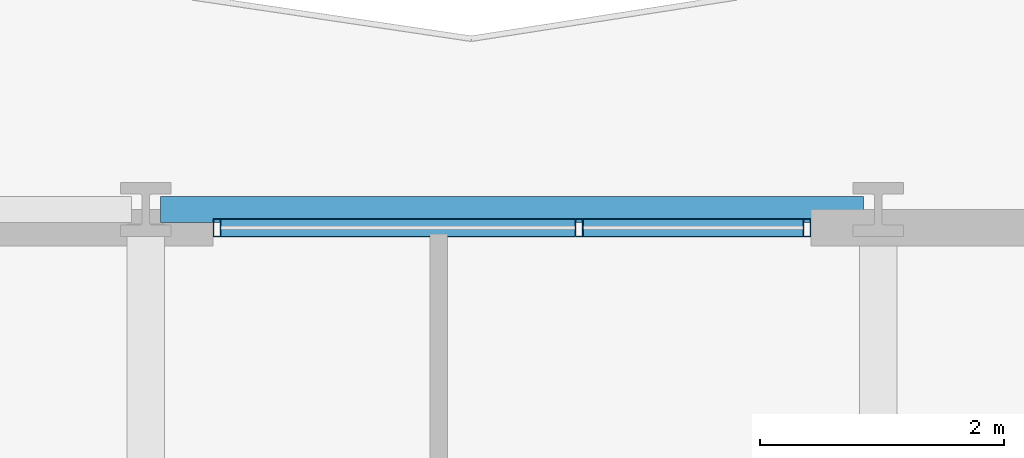
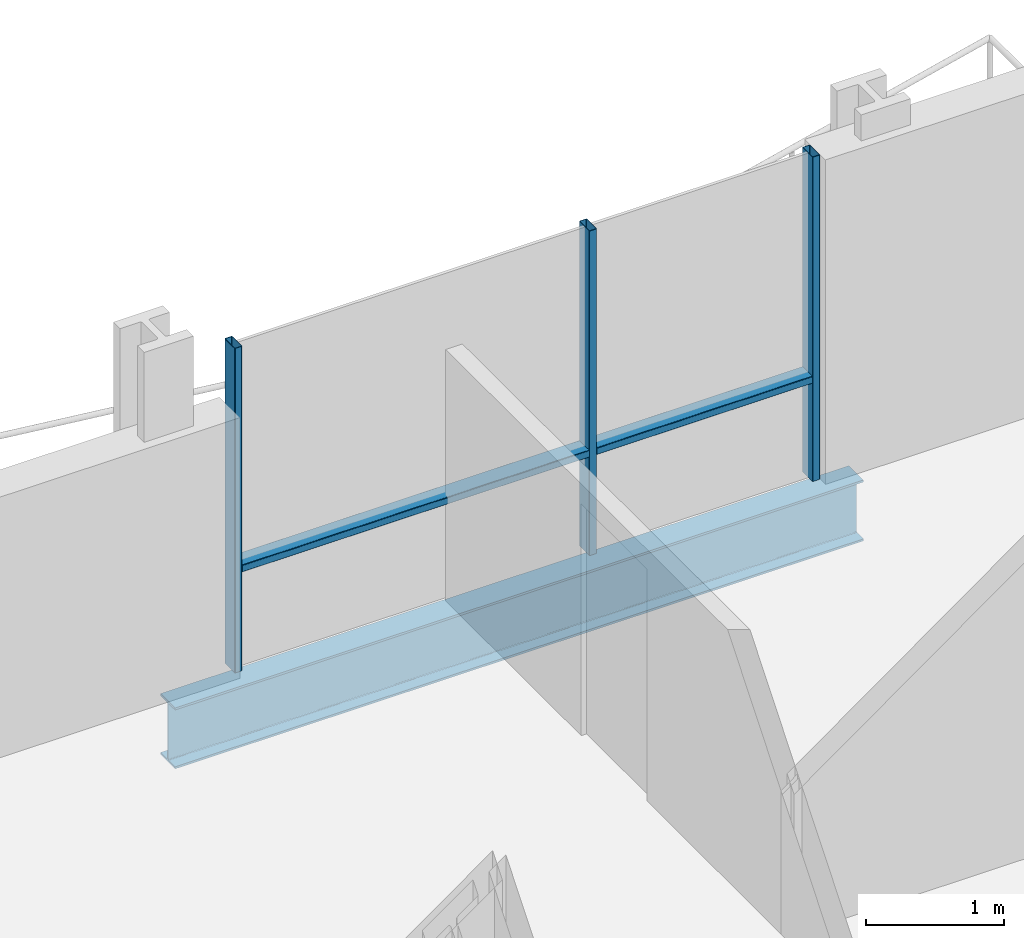
# One storey, part 24 of 41: 5 members, 1 beam, 1 element without a shape of its own.
"""IFC4 building model written with IfcOpenShell, lengths in metres."""

from ifc_helpers import new_model, si_unit, direction, frame, origin, origin_2d, place, context, subcontext, project, spatial, hollow_rectangle, i_section, extrude, material, layer, layer_set, material_profile, profile_set, type_object, element, aggregate, save


model = new_model("IFC4")

# Units and contexts
model_context = context("Model", 3, precision=1e-05, world=origin(), true_north=direction((0.0, 1.0)))
body_context = subcontext(model_context, "Body", "Model", "MODEL_VIEW")
ifc_project = project(units=[si_unit("LENGTHUNIT", "METRE"), si_unit("AREAUNIT", "SQUARE_METRE"), si_unit("VOLUMEUNIT", "CUBIC_METRE"), si_unit("PLANEANGLEUNIT", "RADIAN"), si_unit("MASSUNIT", "GRAM", prefix="KILO")], contexts=[model_context])

# Site, building, storey
site_placement = place(None, origin())
site = spatial("IfcSite", under=ifc_project, at=site_placement, CompositionType="ELEMENT")
building_placement = place(site_placement, origin())
building = spatial("IfcBuilding", under=site, at=building_placement, Name="Brevholm Reach", CompositionType="ELEMENT")
storey_placement = place(building_placement, frame((0.0, 0.0, 43.5)))
storey = spatial("IfcBuildingStorey", under=building, at=storey_placement, Name="L11", CompositionType="ELEMENT", Elevation=43.5)

# Beam
ifc_material_1 = material(Name="Structural Steel S355J2", Category="steel")
ifc_material_profile_1 = material_profile(ifc_material_1, i_section(OverallWidth=0.210693359375, OverallDepth=0.53955078125, WebThickness=0.01171875, FlangeThickness=0.018798828125, FilletRadius=0.0126953125, at=origin_2d()), Name="UKB 533x210x109")
ifc_profile_set_1 = profile_set([ifc_material_profile_1], Name="Structural Steel S355J2")
beam_type = type_object("IfcBeamType", Name="BM-SP539", PredefinedType="SPANDREL", material=ifc_profile_set_1)
beam_placement = place(storey_placement, frame((48.1201171875, 31.0, -0.499755859375), z_axis=(1.0, 0.0, 0.0), x_axis=(0.0, 1.0, 0.0)))
element("IfcBeam", 1, at=beam_placement, inside=storey, type_object=beam_type, Name="L11 SP-01B Framing Beam", PredefinedType="SPANDREL", context=body_context, shape_type="SweptSolid", body=[
    extrude(i_section(OverallWidth=0.210693359375, OverallDepth=0.53955078125, WebThickness=0.01171875, FlangeThickness=0.018798828125, FilletRadius=0.0126953125, at=origin_2d()), origin(), (0.0, 0.0, 1.0), 5.759765625),
])

# Curtain wall, members
ifc_material_2 = material(Name="Dark Anodised Aluminium 6063-T6 and Solar-Control Glass", Category="aluminium")
ifc_layer = layer(ifc_material_2, 0.14990234375)
ifc_layer_set = layer_set([ifc_layer], Name="Dark Anodised Aluminium 6063-T6 and Solar-Control Glass")
curtain_wall_type = type_object("IfcCurtainWallType", Name="CW-01", PredefinedType="NOTDEFINED", material=ifc_layer_set)
curtain_wall_placement = place(storey_placement, origin())
curtain_wall = element("IfcCurtainWall", 2, at=curtain_wall_placement, inside=storey, type_object=curtain_wall_type, Name="L11 Curtain Wall CW-01", PredefinedType="NOTDEFINED")
ifc_material_3 = material(Name="Dark Anodised Aluminium 6063-T6", Category="aluminium")
ifc_material_profile_2 = material_profile(ifc_material_3, hollow_rectangle(XDim=0.06494140625, YDim=0.14990234375, WallThickness=0.0048828125, InnerFilletRadius=0.0048828125, OuterFilletRadius=0.010009765625, at=origin_2d()), Name="RHS 150x65x5")
ifc_profile_set_2 = profile_set([ifc_material_profile_2], Name="Dark Anodised Aluminium 6063-T6")
member_type_1 = type_object("IfcMemberType", Name="CWM-150", PredefinedType="MULLION", material=ifc_profile_set_2)
member_1_placement = place(storey_placement, frame((48.58251953125, 30.85009765625, 0.0), z_axis=(0.0, 0.0, 1.0), x_axis=(1.0, 0.0, 0.0)))
member_1 = element("IfcMember", 3, at=member_1_placement, type_object=member_type_1, Name="CM-150 Mullion 1", PredefinedType="MULLION", context=body_context, shape_type="SweptSolid", body=[
    extrude(hollow_rectangle(XDim=0.06494140625, YDim=0.14990234375, WallThickness=0.0048828125, InnerFilletRadius=0.0048828125, OuterFilletRadius=0.010009765625, at=origin_2d()), origin(), (0.0, 0.0, 1.0), 2.8701171875),
])
member_2_placement = place(storey_placement, frame((51.550048828125, 30.85009765625, 0.0), z_axis=(0.0, 0.0, 1.0), x_axis=(1.0, 0.0, 0.0)))
member_2 = element("IfcMember", 4, at=member_2_placement, type_object=member_type_1, Name="CM-150 Mullion 2", PredefinedType="MULLION", context=body_context, shape_type="SweptSolid", body=[
    extrude(hollow_rectangle(XDim=0.06494140625, YDim=0.14990234375, WallThickness=0.0048828125, InnerFilletRadius=0.0048828125, OuterFilletRadius=0.010009765625, at=origin_2d()), origin(), (0.0, 0.0, 1.0), 2.8701171875),
])
member_3_placement = place(storey_placement, frame((53.41748046875, 30.85009765625, 0.0), z_axis=(0.0, 0.0, 1.0), x_axis=(1.0, 0.0, 0.0)))
member_3 = element("IfcMember", 5, at=member_3_placement, type_object=member_type_1, Name="CM-150 Mullion 3", PredefinedType="MULLION", context=body_context, shape_type="SweptSolid", body=[
    extrude(hollow_rectangle(XDim=0.06494140625, YDim=0.14990234375, WallThickness=0.0048828125, InnerFilletRadius=0.0048828125, OuterFilletRadius=0.010009765625, at=origin_2d()), origin(), (0.0, 0.0, 1.0), 2.8701171875),
])
ifc_material_4 = material(Name="Dark Anodised Aluminium 6063-T6", Category="aluminium")
ifc_material_profile_3 = material_profile(ifc_material_4, hollow_rectangle(XDim=0.06494140625, YDim=0.14990234375, WallThickness=0.0048828125, InnerFilletRadius=0.0048828125, OuterFilletRadius=0.010009765625, at=origin_2d()), Name="RHS 150x65x5")
ifc_profile_set_3 = profile_set([ifc_material_profile_3], Name="Dark Anodised Aluminium 6063-T6")
member_type_2 = type_object("IfcMemberType", Name="CWT-150", PredefinedType="NOTDEFINED", material=ifc_profile_set_3)
member_4_placement = place(storey_placement, frame((48.614990234375, 30.85009765625, 0.89990234375), z_axis=(1.0, 0.0, 0.0), x_axis=(0.0, 0.0, 1.0)))
member_4 = element("IfcMember", 6, at=member_4_placement, type_object=member_type_2, Name="CT-150 Transom 1.1", ObjectType="TRANSOM", PredefinedType="USERDEFINED", context=body_context, shape_type="SweptSolid", body=[
    extrude(hollow_rectangle(XDim=0.06494140625, YDim=0.14990234375, WallThickness=0.0048828125, InnerFilletRadius=0.0048828125, OuterFilletRadius=0.010009765625, at=origin_2d()), origin(), (0.0, 0.0, 1.0), 2.902587890625),
])
member_5_placement = place(storey_placement, frame((51.58251953125, 30.85009765625, 0.89990234375), z_axis=(1.0, 0.0, 0.0), x_axis=(0.0, 0.0, 1.0)))
member_5 = element("IfcMember", 7, at=member_5_placement, type_object=member_type_2, Name="CT-150 Transom 2.1", ObjectType="TRANSOM", PredefinedType="USERDEFINED", context=body_context, shape_type="SweptSolid", body=[
    extrude(hollow_rectangle(XDim=0.06494140625, YDim=0.14990234375, WallThickness=0.0048828125, InnerFilletRadius=0.0048828125, OuterFilletRadius=0.010009765625, at=origin_2d()), origin(), (0.0, 0.0, 1.0), 1.802490234375),
])
aggregate(curtain_wall, [member_1, member_2, member_3, member_4, member_5])

save(model, "model.ifc")
